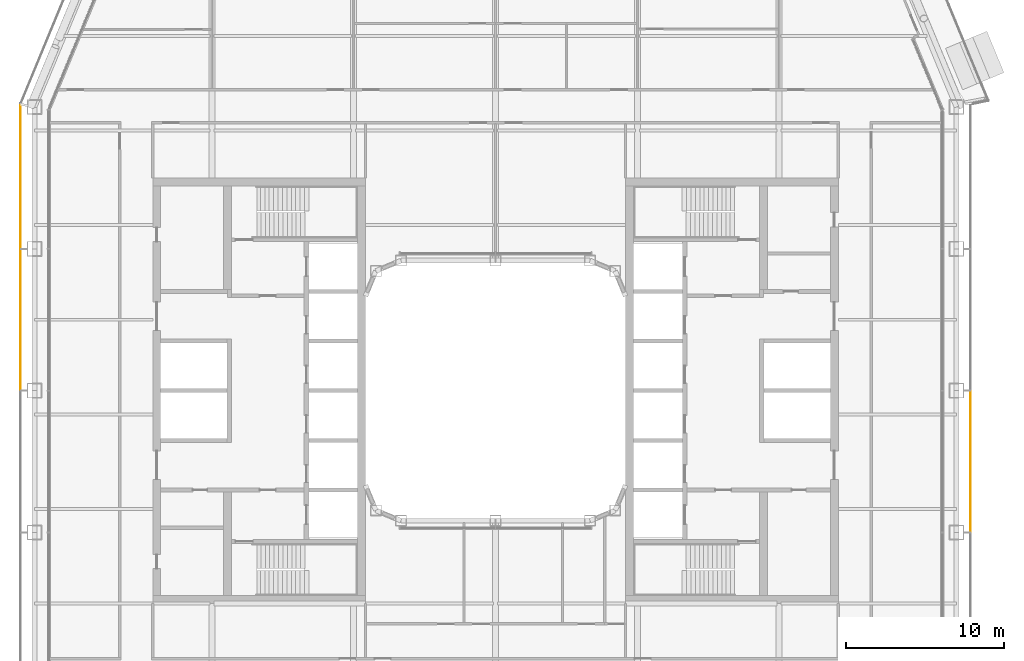
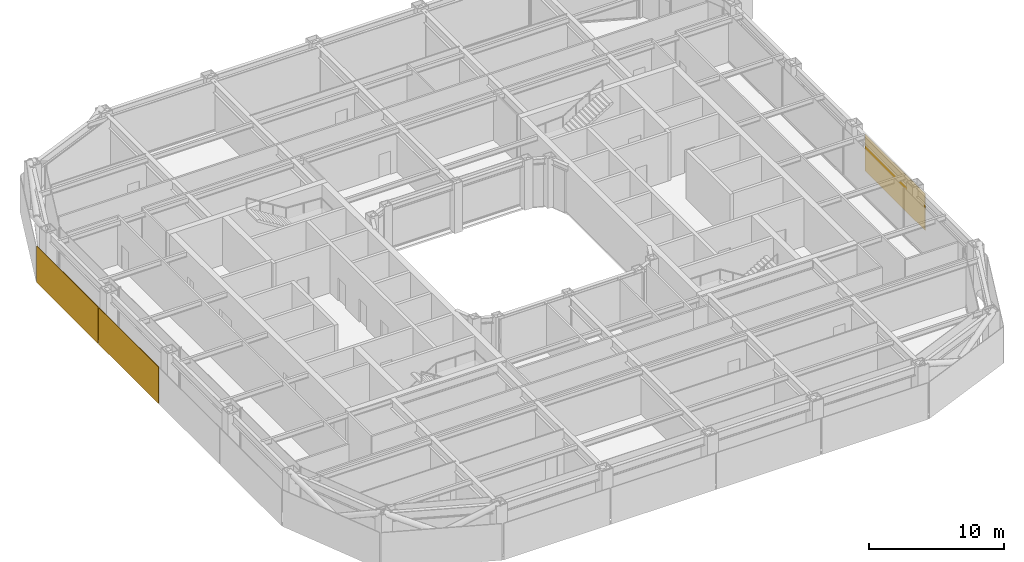
# One storey, part 21 of 24: 3 coverings.
"""IFC4 building model written with IfcOpenShell, lengths in metres."""

from ifc_helpers import new_model, si_unit, direction, frame, origin, origin_2d, place, context, subcontext, project, spatial, rectangle, extrude, material, layer, layer_set, type_object, element, save


model = new_model("IFC4")

# Units and contexts
model_context = context("Model", 3, precision=1e-05, world=origin(), true_north=direction((0.0, 1.0)))
body_context = subcontext(model_context, "Body", "Model", "MODEL_VIEW")
ifc_project = project(units=[si_unit("LENGTHUNIT", "METRE"), si_unit("AREAUNIT", "SQUARE_METRE"), si_unit("VOLUMEUNIT", "CUBIC_METRE"), si_unit("PLANEANGLEUNIT", "RADIAN"), si_unit("MASSUNIT", "GRAM", prefix="KILO")], contexts=[model_context])

# Site, building, storey
site_placement = place(None, origin())
site = spatial("IfcSite", under=ifc_project, at=site_placement, CompositionType="ELEMENT")
building_placement = place(site_placement, origin())
building = spatial("IfcBuilding", under=site, at=building_placement, Name="Siwar Civic Tower", CompositionType="ELEMENT")
storey_placement = place(building_placement, frame((0.0, 0.0, 113.699951171875)))
storey = spatial("IfcBuildingStorey", under=building, at=storey_placement, Name="L24", CompositionType="ELEMENT", Elevation=113.699951171875)

# Coverings
ifc_material_1 = material(Name="Perforated aluminium cassette, pale metal", Category="aluminium")
ifc_layer_1 = layer(ifc_material_1, 0.0400390625)
ifc_layer_set_1 = layer_set([ifc_layer_1], Name="Perforated aluminium cassette, pale metal")
covering_type_1 = type_object("IfcCoveringType", Name="ENV-OUTER SKIN OS-1", PredefinedType="CLADDING", material=ifc_layer_set_1)
covering_1_placement = place(storey_placement, frame((30.14990234375, -4.5, -0.14990234375), z_axis=(0.0, 0.0, 1.0), x_axis=(0.0, 1.0, 0.0)))
element("IfcCovering", 1, at=covering_1_placement, inside=storey, type_object=covering_type_1, Name="OUTER SKIN OS-1 E 2", PredefinedType="CLADDING", context=body_context, shape_type="SweptSolid", body=[
    extrude(rectangle(XDim=8.89990234375, YDim=0.0400390625, at=origin_2d()), origin(), (0.0, 0.0, 1.0), 3.300048828125),
])
ifc_material_2 = material(Name="Perforated aluminium cassette, pale metal", Category="aluminium")
ifc_layer_2 = layer(ifc_material_2, 0.050048828125)
ifc_layer_set_2 = layer_set([ifc_layer_2], Name="Perforated aluminium cassette, pale metal")
covering_type_2 = type_object("IfcCoveringType", Name="ENV-OUTER SKIN OS-3", PredefinedType="CLADDING", material=ifc_layer_set_2)
covering_2_placement = place(storey_placement, frame((-30.14990234375, 13.57958984375, -0.14990234375), z_axis=(0.0, 0.0, 1.0), x_axis=(0.0, -1.0, 0.0)))
element("IfcCovering", 2, at=covering_2_placement, inside=storey, type_object=covering_type_2, Name="OUTER SKIN OS-3 W 1", PredefinedType="CLADDING", context=body_context, shape_type="SweptSolid", body=[
    extrude(rectangle(XDim=9.05908203125, YDim=0.050048828125, at=origin_2d()), origin(), (0.0, 0.0, 1.0), 3.300048828125),
])
covering_3_placement = place(storey_placement, frame((-30.14990234375, 4.5, -0.14990234375), z_axis=(0.0, 0.0, 1.0), x_axis=(0.0, -1.0, 0.0)))
element("IfcCovering", 3, at=covering_3_placement, inside=storey, type_object=covering_type_2, Name="OUTER SKIN OS-3 W 2", PredefinedType="CLADDING", context=body_context, shape_type="SweptSolid", body=[
    extrude(rectangle(XDim=8.89990234375, YDim=0.050048828125, at=origin_2d()), origin(), (0.0, 0.0, 1.0), 3.300048828125),
])

save(model, "model.ifc")
